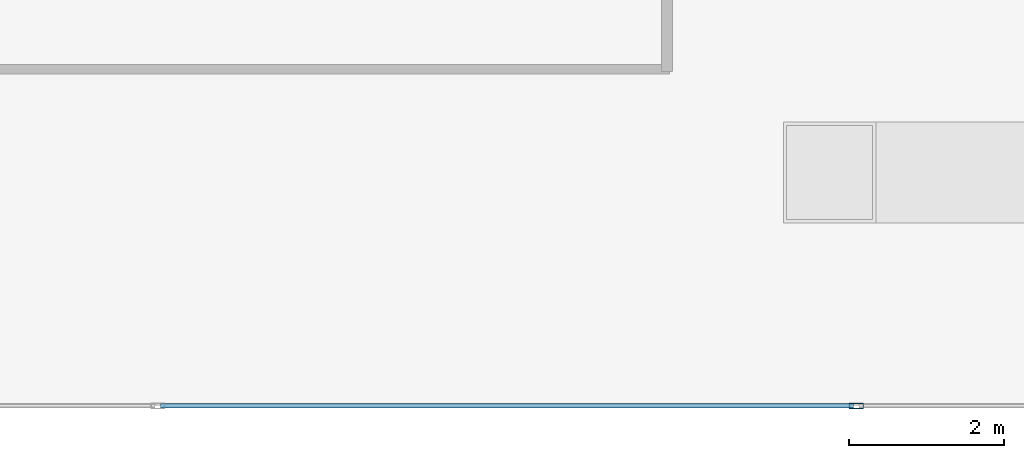
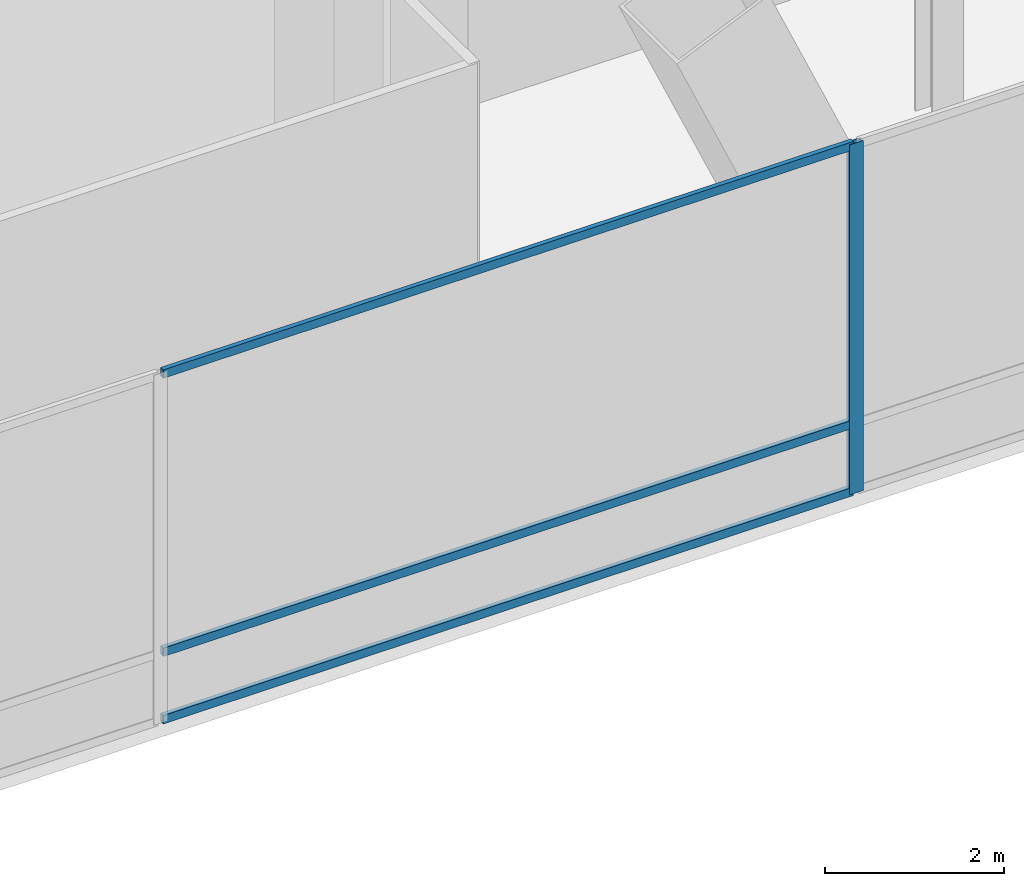
# One storey, part 8 of 42: 4 members, 1 element without a shape of its own.
"""IFC4 building model written with IfcOpenShell, lengths in metres."""

from ifc_helpers import new_model, si_unit, direction, frame, origin, origin_2d, place, context, subcontext, project, spatial, hollow_rectangle, extrude, material, layer, layer_set, material_profile, profile_set, type_object, element, aggregate, save


model = new_model("IFC4")

# Units and contexts
model_context = context("Model", 3, precision=1e-05, world=origin(), true_north=direction((0.0, 1.0)))
body_context = subcontext(model_context, "Body", "Model", "MODEL_VIEW")
ifc_project = project(units=[si_unit("LENGTHUNIT", "METRE"), si_unit("AREAUNIT", "SQUARE_METRE"), si_unit("VOLUMEUNIT", "CUBIC_METRE"), si_unit("PLANEANGLEUNIT", "RADIAN"), si_unit("MASSUNIT", "GRAM", prefix="KILO")], contexts=[model_context])

# Site, building, storey
site_placement = place(None, origin())
site = spatial("IfcSite", under=ifc_project, at=site_placement, CompositionType="ELEMENT")
building_placement = place(site_placement, origin())
building = spatial("IfcBuilding", under=site, at=building_placement, Name="Qianvela Tower", CompositionType="ELEMENT")
storey_placement = place(building_placement, frame((0.0, 0.0, 6.0)))
storey = spatial("IfcBuildingStorey", under=building, at=storey_placement, Name="L01", CompositionType="ELEMENT", Elevation=6.0)

# Curtain wall, members
ifc_material_1 = material(Name="Anodised Architectural Aluminium and Low-E Glass", Category="aluminium")
ifc_layer = layer(ifc_material_1, 0.179931640625)
ifc_layer_set = layer_set([ifc_layer], Name="Anodised Architectural Aluminium and Low-E Glass")
curtain_wall_type = type_object("IfcCurtainWallType", Name="CW-COMMONS", PredefinedType="USERDEFINED", material=ifc_layer_set)
curtain_wall_placement = place(storey_placement, origin())
curtain_wall = element("IfcCurtainWall", 1, at=curtain_wall_placement, inside=storey, type_object=curtain_wall_type, Name="L01 CW-COMMONS Curtain Wall 01", ObjectType="CURTAIN_WALL_SYSTEM", PredefinedType="USERDEFINED")
ifc_material_2 = material(Name="Anodised Architectural Aluminium 6063-T6", Category="aluminium")
ifc_material_profile_1 = material_profile(ifc_material_2, hollow_rectangle(XDim=0.070068359375, YDim=0.179931640625, WallThickness=0.0048828125, at=origin_2d()), Name="ALU-MULL-70x180")
ifc_profile_set_1 = profile_set([ifc_material_profile_1], Name="Anodised Architectural Aluminium 6063-T6")
member_type_1 = type_object("IfcMemberType", Name="CW-COMMONS-MULL", PredefinedType="MULLION", material=ifc_profile_set_1)
member_1_placement = place(storey_placement, frame((33.007080078125, 1.5, 0.0), z_axis=(0.0, 0.0, 1.0), x_axis=(0.0, 1.0, 0.0)))
member_1 = element("IfcMember", 2, at=member_1_placement, type_object=member_type_1, Name="CW-2 mullion 4", PredefinedType="MULLION", context=body_context, shape_type="SweptSolid", body=[
    extrude(hollow_rectangle(XDim=0.070068359375, YDim=0.179931640625, WallThickness=0.0048828125, at=origin_2d()), origin(), (0.0, 0.0, 1.0), 4.780029296875),
])
ifc_material_3 = material(Name="Anodised Architectural Aluminium 6063-T6", Category="aluminium")
ifc_material_profile_2 = material_profile(ifc_material_3, hollow_rectangle(XDim=0.06005859375, YDim=0.114990234375, WallThickness=0.00390625, at=origin_2d()), Name="ALU-TRAN-60x115")
ifc_profile_set_2 = profile_set([ifc_material_profile_2], Name="Anodised Architectural Aluminium 6063-T6")
member_type_2 = type_object("IfcMemberType", Name="CW-COMMONS-TRAN", PredefinedType="USERDEFINED", material=ifc_profile_set_2)
member_2_placement = place(storey_placement, frame((24.056396484375, 1.5, 0.030029296875), z_axis=(1.0, 0.0, 0.0), x_axis=(0.0, 1.0, 0.0)))
member_2 = element("IfcMember", 3, at=member_2_placement, type_object=member_type_2, Name="CW-2 transom 3.1", ObjectType="TRANSOM", PredefinedType="USERDEFINED", context=body_context, shape_type="SweptSolid", body=[
    extrude(hollow_rectangle(XDim=0.06005859375, YDim=0.114990234375, WallThickness=0.00390625, at=origin_2d()), origin(), (0.0, 0.0, 1.0), 8.915771484375),
])
member_3_placement = place(storey_placement, frame((24.056396484375, 1.5, 0.949951171875), z_axis=(1.0, 0.0, 0.0), x_axis=(0.0, 1.0, 0.0)))
member_3 = element("IfcMember", 4, at=member_3_placement, type_object=member_type_2, Name="CW-2 transom 3.2", ObjectType="TRANSOM", PredefinedType="USERDEFINED", context=body_context, shape_type="SweptSolid", body=[
    extrude(hollow_rectangle(XDim=0.06005859375, YDim=0.114990234375, WallThickness=0.00390625, at=origin_2d()), origin(), (0.0, 0.0, 1.0), 8.915771484375),
])
member_4_placement = place(storey_placement, frame((24.056396484375, 1.5, 4.75), z_axis=(1.0, 0.0, 0.0), x_axis=(0.0, 1.0, 0.0)))
member_4 = element("IfcMember", 5, at=member_4_placement, type_object=member_type_2, Name="CW-2 transom 3.3", ObjectType="TRANSOM", PredefinedType="USERDEFINED", context=body_context, shape_type="SweptSolid", body=[
    extrude(hollow_rectangle(XDim=0.06005859375, YDim=0.114990234375, WallThickness=0.00390625, at=origin_2d()), origin(), (0.0, 0.0, 1.0), 8.915771484375),
])
aggregate(curtain_wall, [member_1, member_2, member_3, member_4])

save(model, "model.ifc")
